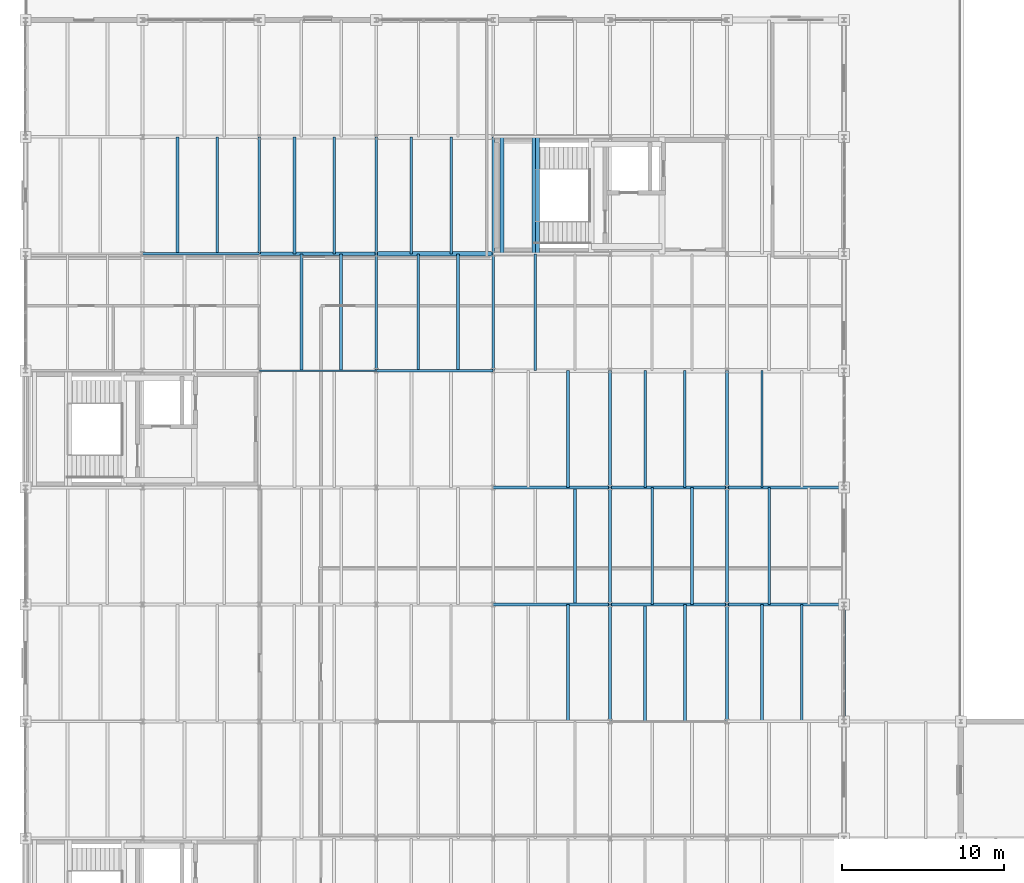
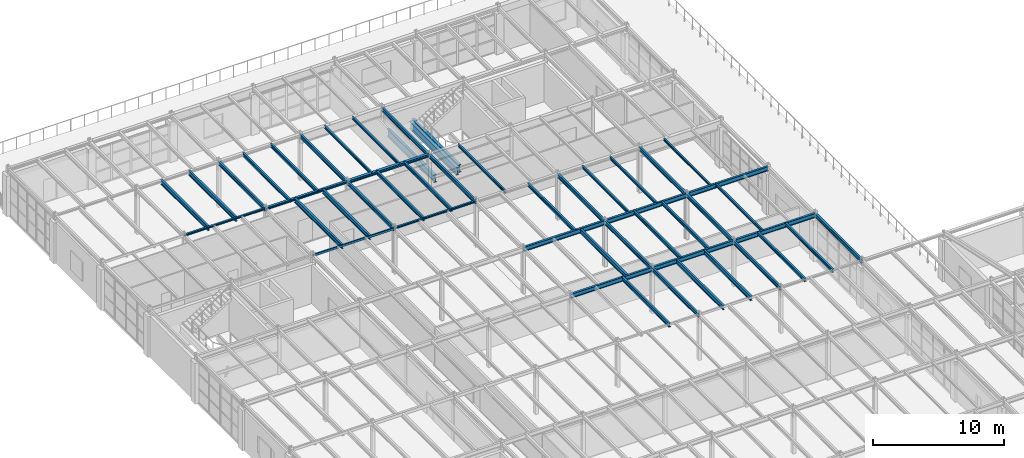
# One storey, part 43 of 101: 50 beams.
"""IFC4 building model written with IfcOpenShell, lengths in metres."""

import ifcopenshell
import ifcopenshell.guid

model = None  # the IFC model being written
_history = None  # IfcOwnerHistory: only IFC2X3 demands one
_inside = {}  # id of a spatial element -> (the spatial element, [elements in it])
_under = {}  # id of a project, library or spatial element -> (it, [spatial elements below it])
_declared = {}  # id of a project -> (the project, [libraries it declares])
_typed = {}  # id of a type object -> (the type object, [elements of that type])
_made_of = {}  # id of a material, layer set ... -> (it, [elements and type objects made of it])


def new_model(schema):
    """Start an empty IFC model of exactly this schema.

    Asked for "IFC4X3", IfcOpenShell would pick the latest addendum, in which some entities
    have other attributes; the version numbers below select the first issue.
    IFC2X3 requires an IfcOwnerHistory on every rooted entity: one is made here for all.
    """
    global model, _history
    if schema == "IFC4X3":
        model = ifcopenshell.file(schema_version=(4, 3, 0, 0))
    else:
        model = ifcopenshell.file(schema=schema)
    _inside.clear()
    _under.clear()
    _declared.clear()
    _typed.clear()
    _made_of.clear()
    _history = None
    if model.schema == "IFC2X3":
        org = make("IfcOrganization", Name="unknown")
        user = make(
            "IfcPersonAndOrganization",
            ThePerson=make("IfcPerson", FamilyName="unknown"),
            TheOrganization=org,
        )
        app = make(
            "IfcApplication",
            ApplicationDeveloper=org,
            Version="unknown",
            ApplicationFullName="unknown",
            ApplicationIdentifier="unknown",
        )
        _history = make(
            "IfcOwnerHistory",
            OwningUser=user,
            OwningApplication=app,
            ChangeAction="ADDED",
            CreationDate=0,
        )
    return model


def make(cls, **values):
    """One entity of the class cls with the attributes given. An attribute that is None is left unset."""
    return model.create_entity(
        cls, **{name: value for name, value in values.items() if value is not None}
    )


def rooted(cls, **values):
    """An entity with a GlobalId (a new one), such as an element, a storey or a relation."""
    return make(cls, GlobalId=ifcopenshell.guid.new(), OwnerHistory=_history, **values)


def si_unit(unit_type, name, prefix=None):
    """IfcSIUnit, for example si_unit("LENGTHUNIT", "METRE", prefix="MILLI")."""
    return make("IfcSIUnit", UnitType=unit_type, Prefix=prefix, Name=name)


def assignment(units):
    """IfcUnitAssignment: the units of a project."""
    return None if units is None else make("IfcUnitAssignment", Units=units)


def point(xyz):
    """IfcCartesianPoint."""
    return None if xyz is None else make("IfcCartesianPoint", Coordinates=xyz)


def direction(xyz):
    """IfcDirection."""
    return None if xyz is None else make("IfcDirection", DirectionRatios=xyz)


def frame(location, z_axis=None, x_axis=None):
    """IfcAxis2Placement3D, a coordinate frame: its origin and axes. An axis left out is left unset."""
    return make(
        "IfcAxis2Placement3D",
        Location=point(location),
        Axis=direction(z_axis),
        RefDirection=direction(x_axis),
    )


def frame_2d(location, x_axis=None):
    """IfcAxis2Placement2D, a coordinate frame in the plane: its origin and x axis."""
    return make(
        "IfcAxis2Placement2D", Location=point(location), RefDirection=direction(x_axis)
    )


def origin():
    """The frame at (0, 0, 0) with its axes left unset."""
    return frame((0.0, 0.0, 0.0))


def origin_2d():
    """The frame at (0, 0) in the plane with its x axis left unset."""
    return frame_2d((0.0, 0.0))


def place(relative_to, where):
    """IfcLocalPlacement: puts the frame where relative to a parent placement (None: the world)."""
    return make(
        "IfcLocalPlacement", PlacementRelTo=relative_to, RelativePlacement=where
    )


def context(
    kind, dimensions, precision=None, world=None, true_north=None, identifier=None
):
    """IfcGeometricRepresentationContext, for example the 3D "Model" context."""
    return make(
        "IfcGeometricRepresentationContext",
        ContextIdentifier=identifier,
        ContextType=kind,
        CoordinateSpaceDimension=dimensions,
        Precision=precision,
        WorldCoordinateSystem=world,
        TrueNorth=true_north,
    )


def subcontext(parent, identifier, kind, view, scale=None):
    """IfcGeometricRepresentationSubContext, for example "Body" below "Model"."""
    return make(
        "IfcGeometricRepresentationSubContext",
        ContextIdentifier=identifier,
        ContextType=kind,
        ParentContext=parent,
        TargetScale=scale,
        TargetView=view,
    )


def project(units=None, contexts=None):
    """IfcProject with its units and contexts."""
    return rooted(
        "IfcProject",
        Name="project",
        RepresentationContexts=contexts,
        UnitsInContext=assignment(units),
    )


def spatial(cls, under=None, at=None, **own):
    """A site, building, storey or space (cls), placed at a placement, below another one or the project."""
    s = rooted(cls, ObjectPlacement=at, **own)
    if under is not None:
        _under.setdefault(under.id(), (under, []))[1].append(s)
    return s


def profile(cls, at=None, kind="AREA", **sizes):
    """A parametric profile (cls). Its sizes go by their IFC names, for example OverallWidth=200.0."""
    return make(cls, ProfileType=kind, Position=at, **sizes)


def hollow_rectangle(**sizes):
    """IfcRectangleHollowProfileDef."""
    return profile("IfcRectangleHollowProfileDef", **sizes)


def i_section(**sizes):
    """IfcIShapeProfileDef."""
    return profile("IfcIShapeProfileDef", **sizes)


def extrude(swept, where, along, depth):
    """IfcExtrudedAreaSolid: the profile swept, set in the frame where, extruded along a direction by depth."""
    return make(
        "IfcExtrudedAreaSolid",
        SweptArea=swept,
        Position=where,
        ExtrudedDirection=direction(along),
        Depth=depth,
    )


def shape(context_of_items, identifier, shape_type, items):
    """IfcShapeRepresentation: the items that make up one representation, for example the "Body"."""
    return make(
        "IfcShapeRepresentation",
        ContextOfItems=context_of_items,
        RepresentationIdentifier=identifier,
        RepresentationType=shape_type,
        Items=items,
    )


def material(Name=None, Category=None):
    """IfcMaterial."""
    return make("IfcMaterial", Name=Name, Category=Category)


def material_profile(
    of_material, cross_section, Name=None, Category=None, Priority=None
):
    """IfcMaterialProfile: a cross section and its material."""
    return make(
        "IfcMaterialProfile",
        Name=Name,
        Material=of_material,
        Profile=cross_section,
        Priority=Priority,
        Category=Category,
    )


def profile_set(profiles, Name=None, composite=None):
    """IfcMaterialProfileSet."""
    return make(
        "IfcMaterialProfileSet",
        Name=Name,
        MaterialProfiles=profiles,
        CompositeProfile=composite,
    )


def made_of(thing, what):
    """Note that an element or type object is made of a material, layer set ...; save() writes the relation."""
    if what is not None:
        _made_of.setdefault(what.id(), (what, []))[1].append(thing)
    return thing


def type_object(cls, material=None, **own):
    """A type object (cls), such as IfcWallType, which elements share."""
    return made_of(rooted(cls, **own), material)


def element(
    cls,
    number,
    at=None,
    inside=None,
    cuts=None,
    type_object=None,
    material=None,
    context=None,
    identifier="Body",
    shape_type=None,
    held_by="IfcProductDefinitionShape",
    body=None,
    shapes=None,
    **own,
):
    """One element of the class cls, such as IfcWall. Its Tag is "e" and its number.

    at: its placement. inside: the storey or other place that contains it. cuts: it is an
    opening in that element (IfcRelVoidsElement). A single representation is given by context,
    identifier, shape_type and body (its items); several are given by shapes. held_by: the class
    of the entity that holds the representations. save() writes the other relations.
    """
    e = rooted(cls, Tag="e%d" % number, ObjectPlacement=at, **own)
    if body is not None:
        shapes = [shape(context, identifier, shape_type, body)]
    if shapes is not None:
        e.Representation = make(held_by, Representations=shapes)
    if inside is not None:
        _inside.setdefault(inside.id(), (inside, []))[1].append(e)
    if cuts is not None:
        rooted(
            "IfcRelVoidsElement", RelatingBuildingElement=cuts, RelatedOpeningElement=e
        )
    if type_object is not None:
        _typed.setdefault(type_object.id(), (type_object, []))[1].append(e)
    return made_of(e, material)


def aggregate(whole, parts):
    """IfcRelAggregates: a whole, such as a stair, and the parts it consists of."""
    return rooted("IfcRelAggregates", RelatingObject=whole, RelatedObjects=parts)


def save(model, path):
    """Write the relations noted so far, then the file.

    IfcRelAggregates (storeys below a building ...), IfcRelContainedInSpatialStructure (elements
    in a storey), IfcRelDefinesByType, IfcRelAssociatesMaterial and IfcRelDeclares: one each for
    every whole, place, type object, material and project.
    """
    for whole, parts in _under.values():
        aggregate(whole, parts)
    for where, things in _inside.values():
        rooted(
            "IfcRelContainedInSpatialStructure",
            RelatedElements=things,
            RelatingStructure=where,
        )
    for kind, things in _typed.values():
        rooted("IfcRelDefinesByType", RelatedObjects=things, RelatingType=kind)
    for what, things in _made_of.values():
        rooted("IfcRelAssociatesMaterial", RelatedObjects=things, RelatingMaterial=what)
    for by, libraries in _declared.values():
        rooted("IfcRelDeclares", RelatingContext=by, RelatedDefinitions=libraries)
    model.write(path)


model = new_model("IFC4")

# Units and contexts
model_context = context("Model", 3, precision=1e-05, world=origin(), true_north=direction((0.0, 1.0)))
body_context = subcontext(model_context, "Body", "Model", "MODEL_VIEW")
ifc_project = project(units=[si_unit("LENGTHUNIT", "METRE"), si_unit("AREAUNIT", "SQUARE_METRE"), si_unit("VOLUMEUNIT", "CUBIC_METRE"), si_unit("PLANEANGLEUNIT", "RADIAN"), si_unit("MASSUNIT", "GRAM", prefix="KILO")], contexts=[model_context])

# Site, building, storey
site_placement = place(None, origin())
site = spatial("IfcSite", under=ifc_project, at=site_placement, CompositionType="ELEMENT")
building_placement = place(site_placement, origin())
building = spatial("IfcBuilding", under=site, at=building_placement, Name="Kemerveld Promenade Tramway Depot", CompositionType="ELEMENT")
storey_placement = place(building_placement, frame((0.0, 0.0, 9.89990234375)))
storey = spatial("IfcBuildingStorey", under=building, at=storey_placement, Name="L02", CompositionType="ELEMENT", Elevation=9.89990234375)

# Beams
ifc_material = material(Name="Steel S355", Category="steel")
ifc_material_profile_1 = material_profile(ifc_material, i_section(OverallWidth=0.25439453125, OverallDepth=0.6875, WebThickness=0.01318359375, FlangeThickness=0.02099609375, FilletRadius=0.01513671875, at=origin_2d()), Name="686x254x152 UB")
ifc_profile_set_1 = profile_set([ifc_material_profile_1], Name="Steel S355")
beam_type_1 = type_object("IfcBeamType", Name="BM-G03", PredefinedType="BEAM", material=ifc_profile_set_1)
for number, where, z_axis, x_axis, name in (
    (1, (29.35009765625, 57.60009765625, 1.726318359375), (0.0, 1.0, 0.0), (-1.0, 0.0, 0.0), "BM-HL-ST-03-L02-W"),
    (2, (31.330078125, 57.60009765625, 1.726318359375), (0.0, 1.0, 0.0), (-1.0, 0.0, 0.0), "BM-HL-ST-03-L02-M"),
    (3, (31.52001953125, 57.60009765625, 1.906494140625), (0.0, 1.0, 0.0), (-1.0, 0.0, 0.0), "BM-HL-ST-03-L02-F2"),
):
    element("IfcBeam", number, at=place(storey_placement, frame(where, z_axis=z_axis, x_axis=x_axis)), inside=storey, type_object=beam_type_1, Name=name, PredefinedType="BEAM", context=body_context, shape_type="SweptSolid", body=[
        extrude(i_section(OverallWidth=0.25439453125, OverallDepth=0.6875, WebThickness=0.01318359375, FlangeThickness=0.02099609375, FilletRadius=0.01513671875, at=origin_2d()), origin(), (0.0, 0.0, 1.0), 7.199951171875),
    ])
ifc_material_profile_2 = material_profile(ifc_material, i_section(OverallWidth=0.1787109375, OverallDepth=0.409423828125, WebThickness=0.0087890625, FlangeThickness=0.014404296875, FilletRadius=0.01025390625, at=origin_2d()), Name="406x178x67 UB")
ifc_profile_set_2 = profile_set([ifc_material_profile_2], Name="Steel S355")
beam_type_2 = type_object("IfcBeamType", Name="BM-G07", PredefinedType="BEAM", material=ifc_profile_set_2)
for number, where, z_axis, x_axis, name in (
    (4, (28.800048828125, 36.0, 4.080322265625), (1.0, 0.0, 0.0), (0.0, 1.0, 0.0), "BMX-L02-05-06-F"),
    (5, (36.0, 36.0, 4.080322265625), (1.0, 0.0, 0.0), (0.0, 1.0, 0.0), "BMX-L02-06-07-F"),
    (6, (43.199951171875, 36.0, 4.080322265625), (1.0, 0.0, 0.0), (0.0, 1.0, 0.0), "BMX-L02-07-08-F"),
    (7, (28.800048828125, 43.199951171875, 4.080322265625), (1.0, 0.0, 0.0), (0.0, 1.0, 0.0), "BMX-L02-05-06-G"),
    (8, (36.0, 43.199951171875, 4.080322265625), (1.0, 0.0, 0.0), (0.0, 1.0, 0.0), "BMX-L02-06-07-G"),
    (9, (43.199951171875, 43.199951171875, 4.080322265625), (1.0, 0.0, 0.0), (0.0, 1.0, 0.0), "BMX-L02-07-08-G"),
):
    element("IfcBeam", number, at=place(storey_placement, frame(where, z_axis=z_axis, x_axis=x_axis)), inside=storey, type_object=beam_type_2, Name=name, PredefinedType="BEAM", context=body_context, shape_type="SweptSolid", body=[
        extrude(i_section(OverallWidth=0.1787109375, OverallDepth=0.409423828125, WebThickness=0.0087890625, FlangeThickness=0.014404296875, FilletRadius=0.01025390625, at=origin_2d()), origin(), (0.0, 0.0, 1.0), 7.199951171875),
    ])
ifc_material_profile_3 = material_profile(ifc_material, i_section(OverallWidth=0.172119140625, OverallDepth=0.35791015625, WebThickness=0.008056640625, FlangeThickness=0.012939453125, FilletRadius=0.01025390625, at=origin_2d()), Name="356x171x57 UB")
ifc_profile_set_3 = profile_set([ifc_material_profile_3], Name="Steel S355")
beam_type_3 = type_object("IfcBeamType", Name="BM-G08", PredefinedType="BEAM", material=ifc_profile_set_3)
beam_1_placement = place(storey_placement, frame((14.39990234375, 57.60009765625, 4.106201171875), z_axis=(0.0, 1.0, 0.0), x_axis=(-1.0, 0.0, 0.0)))
element("IfcBeam", 10, at=beam_1_placement, inside=storey, type_object=beam_type_3, Name="BMY-L02-03-J-K", PredefinedType="BEAM", context=body_context, shape_type="SweptSolid", body=[
    extrude(i_section(OverallWidth=0.172119140625, OverallDepth=0.35791015625, WebThickness=0.008056640625, FlangeThickness=0.012939453125, FilletRadius=0.01025390625, at=origin_2d()), origin(), (0.0, 0.0, 1.0), 7.199951171875),
])
beam_2_placement = place(storey_placement, frame((21.60009765625, 50.39990234375, 4.106201171875), z_axis=(0.0, 1.0, 0.0), x_axis=(-1.0, 0.0, 0.0)))
element("IfcBeam", 11, at=beam_2_placement, inside=storey, type_object=beam_type_3, Name="BMY-L02-04-H-J", PredefinedType="BEAM", context=body_context, shape_type="SweptSolid", body=[
    extrude(i_section(OverallWidth=0.172119140625, OverallDepth=0.35791015625, WebThickness=0.008056640625, FlangeThickness=0.012939453125, FilletRadius=0.01025390625, at=origin_2d()), origin(), (0.0, 0.0, 1.0), 7.2001953125),
])
beam_3_placement = place(storey_placement, frame((21.60009765625, 57.60009765625, 4.106201171875), z_axis=(0.0, 1.0, 0.0), x_axis=(-1.0, 0.0, 0.0)))
element("IfcBeam", 12, at=beam_3_placement, inside=storey, type_object=beam_type_3, Name="BMY-L02-04-J-K", PredefinedType="BEAM", context=body_context, shape_type="SweptSolid", body=[
    extrude(i_section(OverallWidth=0.172119140625, OverallDepth=0.35791015625, WebThickness=0.008056640625, FlangeThickness=0.012939453125, FilletRadius=0.01025390625, at=origin_2d()), origin(), (0.0, 0.0, 1.0), 7.199951171875),
])
beam_4_placement = place(storey_placement, frame((28.800048828125, 50.39990234375, 4.10107421875), z_axis=(0.0, 1.0, 0.0), x_axis=(-1.0, 0.0, 0.0)))
element("IfcBeam", 13, at=beam_4_placement, inside=storey, type_object=beam_type_3, Name="BMY-L02-05-H-J", PredefinedType="BEAM", context=body_context, shape_type="SweptSolid", body=[
    extrude(i_section(OverallWidth=0.172119140625, OverallDepth=0.35791015625, WebThickness=0.008056640625, FlangeThickness=0.012939453125, FilletRadius=0.01025390625, at=origin_2d()), origin(), (0.0, 0.0, 1.0), 7.2001953125),
])
for number, where, z_axis, x_axis, name in (
    (14, (28.800048828125, 57.60009765625, 4.10107421875), (0.0, 1.0, 0.0), (-1.0, 0.0, 0.0), "BMY-L02-05-J-K"),
    (15, (36.0, 28.800048828125, 4.106201171875), (0.0, 1.0, 0.0), (-1.0, 0.0, 0.0), "BMY-L02-06-E-F"),
    (16, (36.0, 36.0, 4.106201171875), (0.0, 1.0, 0.0), (-1.0, 0.0, 0.0), "BMY-L02-06-F-G"),
    (17, (36.0, 43.199951171875, 4.106201171875), (0.0, 1.0, 0.0), (-1.0, 0.0, 0.0), "BMY-L02-06-G-H"),
    (18, (43.199951171875, 28.800048828125, 4.106201171875), (0.0, 1.0, 0.0), (-1.0, 0.0, 0.0), "BMY-L02-07-E-F"),
    (19, (43.199951171875, 36.0, 4.106201171875), (0.0, 1.0, 0.0), (-1.0, 0.0, 0.0), "BMY-L02-07-F-G"),
    (20, (43.199951171875, 43.199951171875, 4.106201171875), (0.0, 1.0, 0.0), (-1.0, 0.0, 0.0), "BMY-L02-07-G-H"),
    (21, (50.39990234375, 28.800048828125, 4.106201171875), (0.0, 1.0, 0.0), (-1.0, 0.0, 0.0), "BMY-L02-08-E-F"),
):
    element("IfcBeam", number, at=place(storey_placement, frame(where, z_axis=z_axis, x_axis=x_axis)), inside=storey, type_object=beam_type_3, Name=name, PredefinedType="BEAM", context=body_context, shape_type="SweptSolid", body=[
        extrude(i_section(OverallWidth=0.172119140625, OverallDepth=0.35791015625, WebThickness=0.008056640625, FlangeThickness=0.012939453125, FilletRadius=0.01025390625, at=origin_2d()), origin(), (0.0, 0.0, 1.0), 7.199951171875),
    ])
ifc_material_profile_4 = material_profile(ifc_material, i_section(OverallWidth=0.165771484375, OverallDepth=0.306640625, WebThickness=0.006591796875, FlangeThickness=0.01171875, FilletRadius=0.0087890625, at=origin_2d()), Name="305x165x46 UB")
ifc_profile_set_4 = profile_set([ifc_material_profile_4], Name="Steel S355")
beam_type_4 = type_object("IfcBeamType", Name="BM-J01", PredefinedType="JOIST", material=ifc_profile_set_4)
for number, where, z_axis, x_axis, name in (
    (22, (16.56005859375, 57.60009765625, 4.1318359375), (0.0, 1.0, 0.0), (-1.0, 0.0, 0.0), "JST-L02-03-J-1"),
    (23, (19.008056640625, 57.60009765625, 4.1318359375), (0.0, 1.0, 0.0), (-1.0, 0.0, 0.0), "JST-L02-03-J-2"),
):
    element("IfcBeam", number, at=place(storey_placement, frame(where, z_axis=z_axis, x_axis=x_axis)), inside=storey, type_object=beam_type_4, Name=name, PredefinedType="JOIST", context=body_context, shape_type="SweptSolid", body=[
        extrude(i_section(OverallWidth=0.165771484375, OverallDepth=0.306640625, WebThickness=0.006591796875, FlangeThickness=0.01171875, FilletRadius=0.0087890625, at=origin_2d()), origin(), (0.0, 0.0, 1.0), 7.199951171875),
    ])
for number, where, z_axis, x_axis, name in (
    (24, (24.19189453125, 50.39990234375, 4.1318359375), (0.0, 1.0, 0.0), (-1.0, 0.0, 0.0), "JST-L02-04-H-1"),
    (25, (26.639892578125, 50.39990234375, 4.1318359375), (0.0, 1.0, 0.0), (-1.0, 0.0, 0.0), "JST-L02-04-H-2"),
):
    element("IfcBeam", number, at=place(storey_placement, frame(where, z_axis=z_axis, x_axis=x_axis)), inside=storey, type_object=beam_type_4, Name=name, PredefinedType="JOIST", context=body_context, shape_type="SweptSolid", body=[
        extrude(i_section(OverallWidth=0.165771484375, OverallDepth=0.306640625, WebThickness=0.006591796875, FlangeThickness=0.01171875, FilletRadius=0.0087890625, at=origin_2d()), origin(), (0.0, 0.0, 1.0), 7.2001953125),
    ])
for number, where, z_axis, x_axis, name in (
    (26, (33.407958984375, 43.199951171875, 4.1318359375), (0.0, 1.0, 0.0), (-1.0, 0.0, 0.0), "JST-L02-05-G-2"),
    (27, (38.592041015625, 36.0, 4.1318359375), (0.0, 1.0, 0.0), (-1.0, 0.0, 0.0), "JST-L02-06-F-1"),
    (28, (41.0400390625, 36.0, 4.1318359375), (0.0, 1.0, 0.0), (-1.0, 0.0, 0.0), "JST-L02-06-F-2"),
    (29, (45.360107421875, 28.800048828125, 4.1318359375), (0.0, 1.0, 0.0), (-1.0, 0.0, 0.0), "JST-L02-07-E-1"),
    (30, (47.80810546875, 28.800048828125, 4.1318359375), (0.0, 1.0, 0.0), (-1.0, 0.0, 0.0), "JST-L02-07-E-2"),
):
    element("IfcBeam", number, at=place(storey_placement, frame(where, z_axis=z_axis, x_axis=x_axis)), inside=storey, type_object=beam_type_4, Name=name, PredefinedType="JOIST", context=body_context, shape_type="SweptSolid", body=[
        extrude(i_section(OverallWidth=0.165771484375, OverallDepth=0.306640625, WebThickness=0.006591796875, FlangeThickness=0.01171875, FilletRadius=0.0087890625, at=origin_2d()), origin(), (0.0, 0.0, 1.0), 7.199951171875),
    ])
ifc_material_profile_5 = material_profile(ifc_material, i_section(OverallWidth=0.146484375, OverallDepth=0.256103515625, WebThickness=0.00634765625, FlangeThickness=0.010986328125, FilletRadius=0.007568359375, at=origin_2d()), Name="254x146x37 UB")
ifc_profile_set_5 = profile_set([ifc_material_profile_5], Name="Steel S355")
beam_type_5 = type_object("IfcBeamType", Name="BM-J02", PredefinedType="JOIST", material=ifc_profile_set_5)
for number, where, z_axis, x_axis, name in (
    (31, (23.760009765625, 57.60009765625, 4.156982421875), (0.0, 1.0, 0.0), (-1.0, 0.0, 0.0), "JST-L02-04-J-1"),
    (32, (26.2080078125, 57.60009765625, 4.156982421875), (0.0, 1.0, 0.0), (-1.0, 0.0, 0.0), "JST-L02-04-J-2"),
):
    element("IfcBeam", number, at=place(storey_placement, frame(where, z_axis=z_axis, x_axis=x_axis)), inside=storey, type_object=beam_type_5, Name=name, PredefinedType="JOIST", context=body_context, shape_type="SweptSolid", body=[
        extrude(i_section(OverallWidth=0.146484375, OverallDepth=0.256103515625, WebThickness=0.00634765625, FlangeThickness=0.010986328125, FilletRadius=0.007568359375, at=origin_2d()), origin(), (0.0, 0.0, 1.0), 7.199951171875),
    ])
beam_5_placement = place(storey_placement, frame((31.39208984375, 50.39990234375, 4.152099609375), z_axis=(0.0, 1.0, 0.0), x_axis=(-1.0, 0.0, 0.0)))
element("IfcBeam", 33, at=beam_5_placement, inside=storey, type_object=beam_type_5, Name="JST-L02-05-H-1", PredefinedType="JOIST", context=body_context, shape_type="SweptSolid", body=[
    extrude(i_section(OverallWidth=0.146484375, OverallDepth=0.256103515625, WebThickness=0.00634765625, FlangeThickness=0.010986328125, FilletRadius=0.007568359375, at=origin_2d()), origin(), (0.0, 0.0, 1.0), 7.2001953125),
])
for number, where, z_axis, x_axis, name in (
    (34, (38.159912109375, 43.199951171875, 4.156982421875), (0.0, 1.0, 0.0), (-1.0, 0.0, 0.0), "JST-L02-06-G-1"),
    (35, (40.60791015625, 43.199951171875, 4.156982421875), (0.0, 1.0, 0.0), (-1.0, 0.0, 0.0), "JST-L02-06-G-2"),
    (36, (45.7919921875, 36.0, 4.156982421875), (0.0, 1.0, 0.0), (-1.0, 0.0, 0.0), "JST-L02-07-F-1"),
):
    element("IfcBeam", number, at=place(storey_placement, frame(where, z_axis=z_axis, x_axis=x_axis)), inside=storey, type_object=beam_type_5, Name=name, PredefinedType="JOIST", context=body_context, shape_type="SweptSolid", body=[
        extrude(i_section(OverallWidth=0.146484375, OverallDepth=0.256103515625, WebThickness=0.00634765625, FlangeThickness=0.010986328125, FilletRadius=0.007568359375, at=origin_2d()), origin(), (0.0, 0.0, 1.0), 7.199951171875),
    ])
ifc_material_profile_6 = material_profile(ifc_material, i_section(OverallWidth=0.13330078125, OverallDepth=0.203125, WebThickness=0.005615234375, FlangeThickness=0.0078125, FilletRadius=0.007568359375, at=origin_2d()), Name="203x133x25 UB")
ifc_profile_set_6 = profile_set([ifc_material_profile_6], Name="Steel S355")
beam_type_6 = type_object("IfcBeamType", Name="BM-J03", PredefinedType="JOIST", material=ifc_profile_set_6)
beam_6_placement = place(storey_placement, frame((45.360107421875, 43.199951171875, 4.18359375), z_axis=(0.0, 1.0, 0.0), x_axis=(-1.0, 0.0, 0.0)))
element("IfcBeam", 37, at=beam_6_placement, inside=storey, type_object=beam_type_6, Name="JST-L02-07-G-1", PredefinedType="JOIST", context=body_context, shape_type="SweptSolid", body=[
    extrude(i_section(OverallWidth=0.13330078125, OverallDepth=0.203125, WebThickness=0.005615234375, FlangeThickness=0.0078125, FilletRadius=0.007568359375, at=origin_2d()), origin(), (0.0, 0.0, 1.0), 7.199951171875),
])
ifc_material_profile_7 = material_profile(ifc_material, i_section(OverallWidth=0.172119140625, OverallDepth=0.35791015625, WebThickness=0.008056640625, FlangeThickness=0.012939453125, FilletRadius=0.01025390625, at=origin_2d()), Name="356x171x57 UB")
ifc_profile_set_7 = profile_set([ifc_material_profile_7], Name="Steel S355")
beam_type_7 = type_object("IfcBeamType", Name="BM-J04", PredefinedType="JOIST", material=ifc_profile_set_7)
beam_7_placement = place(storey_placement, frame((33.407958984375, 28.800048828125, 4.106201171875), z_axis=(0.0, 1.0, 0.0), x_axis=(-1.0, 0.0, 0.0)))
element("IfcBeam", 38, at=beam_7_placement, inside=storey, type_object=beam_type_7, Name="JST-L02-05-E-2", PredefinedType="JOIST", context=body_context, shape_type="SweptSolid", body=[
    extrude(i_section(OverallWidth=0.172119140625, OverallDepth=0.35791015625, WebThickness=0.008056640625, FlangeThickness=0.012939453125, FilletRadius=0.01025390625, at=origin_2d()), origin(), (0.0, 0.0, 1.0), 7.199951171875),
])
ifc_material_profile_8 = material_profile(ifc_material, i_section(OverallWidth=0.1787109375, OverallDepth=0.409423828125, WebThickness=0.0087890625, FlangeThickness=0.014404296875, FilletRadius=0.01025390625, at=origin_2d()), Name="406x178x67 UB")
ifc_profile_set_8 = profile_set([ifc_material_profile_8], Name="Steel S355")
beam_type_8 = type_object("IfcBeamType", Name="BM-J05", PredefinedType="JOIST", material=ifc_profile_set_8)
for number, where, z_axis, x_axis, name in (
    (39, (9.360107421875, 57.60009765625, 4.080322265625), (0.0, 1.0, 0.0), (-1.0, 0.0, 0.0), "JST-L02-02-J-1"),
    (40, (11.80810546875, 57.60009765625, 4.080322265625), (0.0, 1.0, 0.0), (-1.0, 0.0, 0.0), "JST-L02-02-J-2"),
):
    element("IfcBeam", number, at=place(storey_placement, frame(where, z_axis=z_axis, x_axis=x_axis)), inside=storey, type_object=beam_type_8, Name=name, PredefinedType="JOIST", context=body_context, shape_type="SweptSolid", body=[
        extrude(i_section(OverallWidth=0.1787109375, OverallDepth=0.409423828125, WebThickness=0.0087890625, FlangeThickness=0.014404296875, FilletRadius=0.01025390625, at=origin_2d()), origin(), (0.0, 0.0, 1.0), 7.199951171875),
    ])
for number, where, z_axis, x_axis, name in (
    (41, (16.991943359375, 50.39990234375, 4.080322265625), (0.0, 1.0, 0.0), (-1.0, 0.0, 0.0), "JST-L02-03-H-1"),
    (42, (19.43994140625, 50.39990234375, 4.080322265625), (0.0, 1.0, 0.0), (-1.0, 0.0, 0.0), "JST-L02-03-H-2"),
):
    element("IfcBeam", number, at=place(storey_placement, frame(where, z_axis=z_axis, x_axis=x_axis)), inside=storey, type_object=beam_type_8, Name=name, PredefinedType="JOIST", context=body_context, shape_type="SweptSolid", body=[
        extrude(i_section(OverallWidth=0.1787109375, OverallDepth=0.409423828125, WebThickness=0.0087890625, FlangeThickness=0.014404296875, FilletRadius=0.01025390625, at=origin_2d()), origin(), (0.0, 0.0, 1.0), 7.2001953125),
    ])
for number, where, z_axis, x_axis, name in (
    (43, (33.840087890625, 36.0, 4.080322265625), (0.0, 1.0, 0.0), (-1.0, 0.0, 0.0), "JST-L02-05-F-2"),
    (44, (38.159912109375, 28.800048828125, 4.080322265625), (0.0, 1.0, 0.0), (-1.0, 0.0, 0.0), "JST-L02-06-E-1"),
    (45, (40.60791015625, 28.800048828125, 4.080322265625), (0.0, 1.0, 0.0), (-1.0, 0.0, 0.0), "JST-L02-06-E-2"),
):
    element("IfcBeam", number, at=place(storey_placement, frame(where, z_axis=z_axis, x_axis=x_axis)), inside=storey, type_object=beam_type_8, Name=name, PredefinedType="JOIST", context=body_context, shape_type="SweptSolid", body=[
        extrude(i_section(OverallWidth=0.1787109375, OverallDepth=0.409423828125, WebThickness=0.0087890625, FlangeThickness=0.014404296875, FilletRadius=0.01025390625, at=origin_2d()), origin(), (0.0, 0.0, 1.0), 7.199951171875),
    ])
ifc_material_profile_9 = material_profile(ifc_material, hollow_rectangle(XDim=0.10009765625, YDim=0.199951171875, WallThickness=0.008056640625, InnerFilletRadius=0.00390625, OuterFilletRadius=0.011962890625, at=origin_2d()), Name="200x100x8.0 RHS")
ifc_profile_set_9 = profile_set([ifc_material_profile_9], Name="Steel S355")
beam_type_9 = type_object("IfcBeamType", Name="BM-LN1", PredefinedType="LINTEL", material=ifc_profile_set_9)
beam_8_placement = place(storey_placement, frame((14.39990234375, 50.39990234375, 4.18017578125), z_axis=(1.0, 0.0, 0.0), x_axis=(0.0, 1.0, 0.0)))
element("IfcBeam", 46, at=beam_8_placement, inside=storey, type_object=beam_type_9, Name="BMX-L02-03-04-H", PredefinedType="LINTEL", context=body_context, shape_type="SweptSolid", body=[
    extrude(hollow_rectangle(XDim=0.10009765625, YDim=0.199951171875, WallThickness=0.008056640625, InnerFilletRadius=0.00390625, OuterFilletRadius=0.011962890625, at=origin_2d()), origin(), (0.0, 0.0, 1.0), 7.2001953125),
])
ifc_material_profile_10 = material_profile(ifc_material, i_section(OverallWidth=0.154296875, OverallDepth=0.161865234375, WebThickness=0.008056640625, FlangeThickness=0.011474609375, FilletRadius=0.007568359375, at=origin_2d()), Name="152x152x37 UC")
ifc_profile_set_10 = profile_set([ifc_material_profile_10], Name="Steel S355")
beam_type_10 = type_object("IfcBeamType", Name="BM-LN2", PredefinedType="LINTEL", material=ifc_profile_set_10)
for number, where, z_axis, x_axis, name in (
    (47, (21.60009765625, 50.39990234375, 4.2041015625), (1.0, 0.0, 0.0), (0.0, 1.0, 0.0), "BMX-L02-04-05-H"),
    (48, (7.199951171875, 57.60009765625, 4.2041015625), (1.0, 0.0, 0.0), (0.0, 1.0, 0.0), "BMX-L02-02-03-J"),
):
    element("IfcBeam", number, at=place(storey_placement, frame(where, z_axis=z_axis, x_axis=x_axis)), inside=storey, type_object=beam_type_10, Name=name, PredefinedType="LINTEL", context=body_context, shape_type="SweptSolid", body=[
        extrude(i_section(OverallWidth=0.154296875, OverallDepth=0.161865234375, WebThickness=0.008056640625, FlangeThickness=0.011474609375, FilletRadius=0.007568359375, at=origin_2d()), origin(), (0.0, 0.0, 1.0), 7.199951171875),
    ])
ifc_material_profile_11 = material_profile(ifc_material, i_section(OverallWidth=0.205810546875, OverallDepth=0.209716796875, WebThickness=0.009521484375, FlangeThickness=0.01416015625, FilletRadius=0.01025390625, at=origin_2d()), Name="203x203x60 UC")
ifc_profile_set_11 = profile_set([ifc_material_profile_11], Name="Steel S355")
beam_type_11 = type_object("IfcBeamType", Name="BM-LN3", PredefinedType="LINTEL", material=ifc_profile_set_11)
beam_9_placement = place(storey_placement, frame((14.39990234375, 57.60009765625, 4.18017578125), z_axis=(1.0, 0.0, 0.0), x_axis=(0.0, 1.0, 0.0)))
element("IfcBeam", 49, at=beam_9_placement, inside=storey, type_object=beam_type_11, Name="BMX-L02-03-04-J", PredefinedType="LINTEL", context=body_context, shape_type="SweptSolid", body=[
    extrude(i_section(OverallWidth=0.205810546875, OverallDepth=0.209716796875, WebThickness=0.009521484375, FlangeThickness=0.01416015625, FilletRadius=0.01025390625, at=origin_2d()), origin(), (0.0, 0.0, 1.0), 7.2001953125),
])
ifc_material_profile_12 = material_profile(ifc_material, i_section(OverallWidth=0.25634765625, OverallDepth=0.26025390625, WebThickness=0.01025390625, FlangeThickness=0.017333984375, FilletRadius=0.0126953125, at=origin_2d()), Name="254x254x89 UC")
ifc_profile_set_12 = profile_set([ifc_material_profile_12], Name="Steel S355")
beam_type_12 = type_object("IfcBeamType", Name="BM-LN4", PredefinedType="LINTEL", material=ifc_profile_set_12)
beam_10_placement = place(storey_placement, frame((21.60009765625, 57.60009765625, 4.14990234375), z_axis=(1.0, 0.0, 0.0), x_axis=(0.0, 1.0, 0.0)))
element("IfcBeam", 50, at=beam_10_placement, inside=storey, type_object=beam_type_12, Name="BMX-L02-04-05-J", PredefinedType="LINTEL", context=body_context, shape_type="SweptSolid", body=[
    extrude(i_section(OverallWidth=0.25634765625, OverallDepth=0.26025390625, WebThickness=0.01025390625, FlangeThickness=0.017333984375, FilletRadius=0.0126953125, at=origin_2d()), origin(), (0.0, 0.0, 1.0), 7.199951171875),
])

save(model, "model.ifc")
